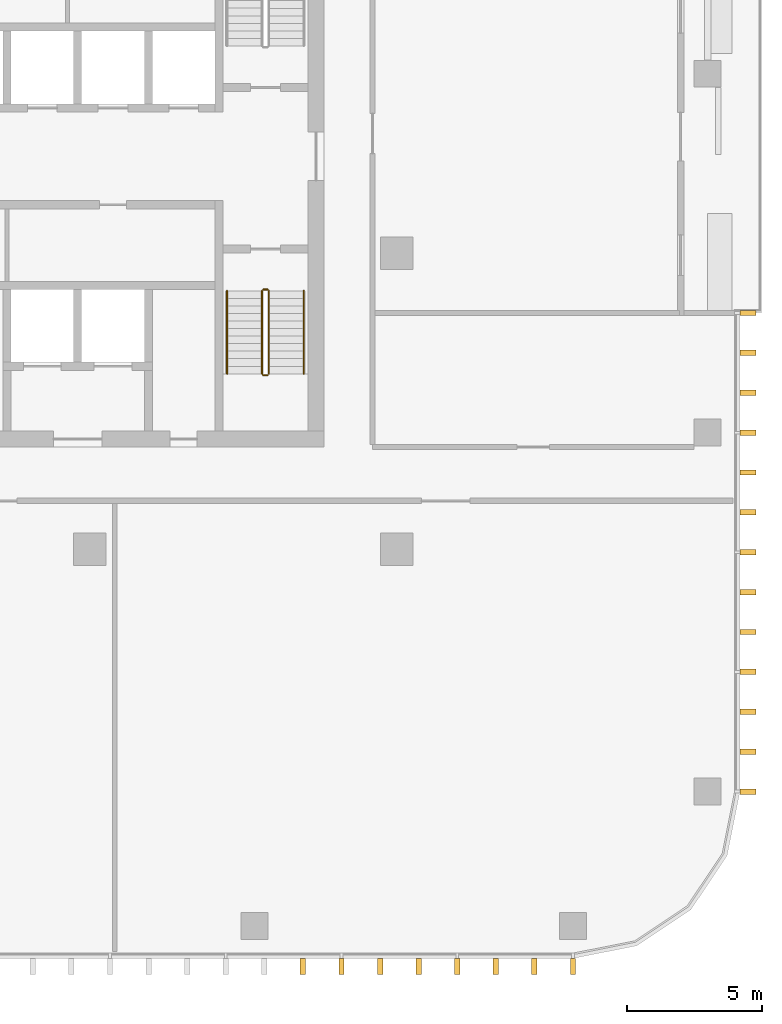
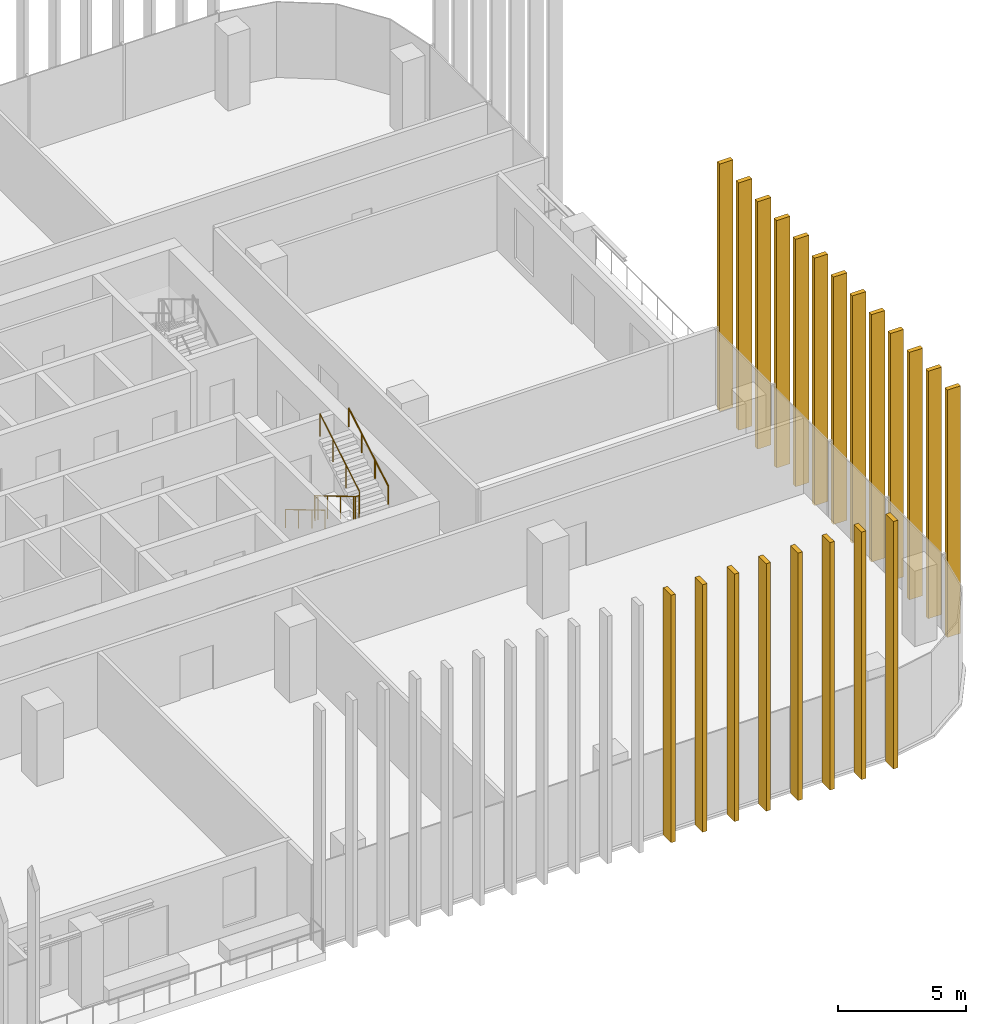
# One storey, part 13 of 16: 21 shading devices, 5 railings.
"""IFC4 building model written with IfcOpenShell, lengths in metres."""

from ifc_helpers import new_model, si_unit, direction, frame, origin, origin_2d, place, context, subcontext, project, spatial, rectangle, circle, extrude, material, type_object, element, save


model = new_model("IFC4")

# Units and contexts
model_context = context("Model", 3, precision=1e-05, world=origin(), true_north=direction((0.0, 1.0)))
body_context = subcontext(model_context, "Body", "Model", "MODEL_VIEW")
ifc_project = project(units=[si_unit("LENGTHUNIT", "METRE"), si_unit("AREAUNIT", "SQUARE_METRE"), si_unit("VOLUMEUNIT", "CUBIC_METRE"), si_unit("PLANEANGLEUNIT", "RADIAN"), si_unit("MASSUNIT", "GRAM", prefix="KILO")], contexts=[model_context])

# Site, building, storey
site_placement = place(None, origin())
site = spatial("IfcSite", under=ifc_project, at=site_placement, CompositionType="ELEMENT")
building_placement = place(site_placement, origin())
building = spatial("IfcBuilding", under=site, at=building_placement, Name="Mopane Tessera Tower", CompositionType="ELEMENT")
storey_placement = place(building_placement, frame((0.0, 0.0, 303.39990234375)))
storey = spatial("IfcBuildingStorey", under=building, at=storey_placement, Name="L66", CompositionType="ELEMENT", Elevation=303.39990234375)

# Shading devices
ifc_material_1 = material(Name="Glazed ceramic tile")
shading_device_type = type_object("IfcShadingDeviceType", Name="Ceramic tile fin 600 x 200 mm", PredefinedType="USERDEFINED", material=ifc_material_1)
for number, where, z_axis, x_axis, name in (
    (1, (13.61669921875, -26.5, -0.39990234375), (0.0, 0.0, 1.0), (1.0, 0.0, 0.0), "e:fin:L66:S:8:2"),
    (2, (15.050048828125, -26.5, -0.39990234375), (0.0, 0.0, 1.0), (1.0, 0.0, 0.0), "e:fin:L66:S:9:0"),
    (3, (16.4833984375, -26.5, -0.39990234375), (0.0, 0.0, 1.0), (1.0, 0.0, 0.0), "e:fin:L66:S:9:1"),
    (4, (17.916748046875, -26.5, -0.39990234375), (0.0, 0.0, 1.0), (1.0, 0.0, 0.0), "e:fin:L66:S:9:2"),
    (5, (19.35009765625, -26.5, -0.39990234375), (0.0, 0.0, 1.0), (1.0, 0.0, 0.0), "e:fin:L66:S:10:0"),
    (6, (20.783447265625, -26.5, -0.39990234375), (0.0, 0.0, 1.0), (1.0, 0.0, 0.0), "e:fin:L66:S:10:1"),
    (7, (22.216552734375, -26.5, -0.39990234375), (0.0, 0.0, 1.0), (1.0, 0.0, 0.0), "e:fin:L66:S:10:2"),
    (8, (23.64990234375, -26.5, -0.39990234375), (0.0, 0.0, 1.0), (1.0, 0.0, 0.0), "e:fin:L66:S:10:3"),
    (9, (30.14990234375, -20.0, -0.39990234375), (0.0, 0.0, 1.0), (0.0, 1.0, 0.0), "e:fin:L66:E:0:0"),
    (10, (30.14990234375, -18.5185546875, -0.39990234375), (0.0, 0.0, 1.0), (0.0, 1.0, 0.0), "e:fin:L66:E:0:1"),
    (11, (30.14990234375, -17.037109375, -0.39990234375), (0.0, 0.0, 1.0), (0.0, 1.0, 0.0), "e:fin:L66:E:0:2"),
    (12, (30.14990234375, -15.5556640625, -0.39990234375), (0.0, 0.0, 1.0), (0.0, 1.0, 0.0), "e:fin:L66:E:1:0"),
    (13, (30.14990234375, -14.073974609375, -0.39990234375), (0.0, 0.0, 1.0), (0.0, 1.0, 0.0), "e:fin:L66:E:1:1"),
    (14, (30.14990234375, -12.592529296875, -0.39990234375), (0.0, 0.0, 1.0), (0.0, 1.0, 0.0), "e:fin:L66:E:1:2"),
    (15, (30.14990234375, -11.111083984375, -0.39990234375), (0.0, 0.0, 1.0), (0.0, 1.0, 0.0), "e:fin:L66:E:2:0"),
    (16, (30.14990234375, -9.629638671875, -0.39990234375), (0.0, 0.0, 1.0), (0.0, 1.0, 0.0), "e:fin:L66:E:2:1"),
    (17, (30.14990234375, -8.148193359375, -0.39990234375), (0.0, 0.0, 1.0), (0.0, 1.0, 0.0), "e:fin:L66:E:2:2"),
    (18, (30.14990234375, -6.666748046875, -0.39990234375), (0.0, 0.0, 1.0), (0.0, 1.0, 0.0), "e:fin:L66:E:3:0"),
    (19, (30.14990234375, -5.185302734375, -0.39990234375), (0.0, 0.0, 1.0), (0.0, 1.0, 0.0), "e:fin:L66:E:3:1"),
    (20, (30.14990234375, -3.70361328125, -0.39990234375), (0.0, 0.0, 1.0), (0.0, 1.0, 0.0), "e:fin:L66:E:3:2"),
    (21, (30.14990234375, -2.22216796875, -0.39990234375), (0.0, 0.0, 1.0), (0.0, 1.0, 0.0), "e:fin:L66:E:3:3"),
):
    element("IfcShadingDevice", number, at=place(storey_placement, frame(where, z_axis=z_axis, x_axis=x_axis)), inside=storey, type_object=shading_device_type, Name=name, ObjectType="FIN", PredefinedType="USERDEFINED", context=body_context, shape_type="SweptSolid", body=[
        extrude(rectangle(XDim=0.199951171875, YDim=0.60009765625, at=origin_2d()), origin(), (0.0, 0.0, 1.0), 11.800048828125),
    ])

# Railings
ifc_material_2 = material(Name="Powder-coated steel balustrade", Category="steel")
railing_type_1 = type_object("IfcRailingType", Name="Escape stair guard 1100 mm", PredefinedType="GUARDRAIL", material=ifc_material_2)
railing_1_placement = place(storey_placement, frame((12.10009765625, -1.39990234375, 0.166748046875)))
element("IfcRailing", 22, at=railing_1_placement, inside=storey, type_object=railing_type_1, Name="L66 ST3 stair guard 1", PredefinedType="GUARDRAIL", context=body_context, shape_type="SweptSolid", body=[
    extrude(circle(Radius=0.02392578125, at=origin_2d()), frame((0.0, 0.0, 1.076171875), z_axis=(0.0, -0.859308565015, 0.511457515432), x_axis=(1.0, 0.0, 0.0)), (0.0, 0.0, 1.0), 3.58447265625),
    extrude(circle(Radius=0.02392578125, at=origin_2d()), frame((0.0, -3.080078125, 2.9091796875), z_axis=(0.705375805398, -0.708833529934, 0.0), x_axis=(0.708833529934, 0.705375805398, 0.0)), (0.0, 0.0, 1.0), 0.070556640625),
    extrude(circle(Radius=0.02392578125, at=origin_2d()), frame((0.0498046875, -3.130126953125, 2.9091796875), z_axis=(1.0, 0.0, 0.0), x_axis=(0.0, 1.0, 0.0)), (0.0, 0.0, 1.0), 0.150146484375),
    extrude(circle(Radius=0.02099609375, at=origin_2d()), origin(), (0.0, 0.0, 1.0), 1.052001953125),
    extrude(circle(Radius=0.02099609375, at=origin_2d()), frame((0.0, -1.026611328125, 0.611083984375)), (0.0, 0.0, 1.0), 1.052001953125),
    extrude(circle(Radius=0.02099609375, at=origin_2d()), frame((0.0, -2.053466796875, 1.22216796875)), (0.0, 0.0, 1.0), 1.052001953125),
    extrude(circle(Radius=0.02099609375, at=origin_2d()), frame((0.0, -3.080078125, 1.833251953125)), (0.0, 0.0, 1.0), 1.052001953125),
    extrude(circle(Radius=0.02099609375, at=origin_2d()), frame((0.0498046875, -3.130126953125, 1.833251953125)), (0.0, 0.0, 1.0), 1.052001953125),
    extrude(circle(Radius=0.02099609375, at=origin_2d()), frame((0.199951171875, -3.130126953125, 1.833251953125)), (0.0, 0.0, 1.0), 1.052001953125),
])
railing_2_placement = place(storey_placement, frame((12.35009765625, -4.47998046875, 2.166748046875)))
element("IfcRailing", 23, at=railing_2_placement, inside=storey, type_object=railing_type_1, Name="L66 ST3 stair guard 2", PredefinedType="GUARDRAIL", context=body_context, shape_type="SweptSolid", body=[
    extrude(circle(Radius=0.02392578125, at=origin_2d()), frame((0.0, 0.0, 1.076171875), z_axis=(0.0, 0.859308565015, 0.511457515432), x_axis=(-1.0, 0.0, 0.0)), (0.0, 0.0, 1.0), 3.58447265625),
    extrude(circle(Radius=0.02099609375, at=origin_2d()), origin(), (0.0, 0.0, 1.0), 1.052001953125),
    extrude(circle(Radius=0.02099609375, at=origin_2d()), frame((0.0, 1.026611328125, 0.611083984375)), (0.0, 0.0, 1.0), 1.052001953125),
    extrude(circle(Radius=0.02099609375, at=origin_2d()), frame((0.0, 2.053466796875, 1.22216796875)), (0.0, 0.0, 1.0), 1.052001953125),
    extrude(circle(Radius=0.02099609375, at=origin_2d()), frame((0.0, 3.080078125, 1.833251953125)), (0.0, 0.0, 1.0), 1.052001953125),
])
railing_3_placement = place(storey_placement, frame((12.14990234375, -1.35009765625, 0.0)))
element("IfcRailing", 24, at=railing_3_placement, inside=storey, type_object=railing_type_1, Name="L66 ST3 stair guard 3", PredefinedType="GUARDRAIL", context=body_context, shape_type="SweptSolid", body=[
    extrude(circle(Radius=0.02392578125, at=origin_2d()), frame((0.0, 0.0, 1.076171875), z_axis=(1.0, 0.0, 0.0), x_axis=(0.0, 1.0, 0.0)), (0.0, 0.0, 1.0), 0.150146484375),
    extrude(circle(Radius=0.02099609375, at=origin_2d()), origin(), (0.0, 0.0, 1.0), 1.052001953125),
    extrude(circle(Radius=0.02099609375, at=origin_2d()), frame((0.150146484375, 0.0, 0.0)), (0.0, 0.0, 1.0), 1.052001953125),
])
ifc_material_3 = material(Name="Powder-coated steel balustrade", Category="steel")
railing_type_2 = type_object("IfcRailingType", Name="Escape stair handrail 900 mm", PredefinedType="HANDRAIL", material=ifc_material_3)
railing_4_placement = place(storey_placement, frame((10.800048828125, -1.39990234375, 0.166748046875)))
element("IfcRailing", 25, at=railing_4_placement, inside=storey, type_object=railing_type_2, Name="L66 ST3 stair handrail 1", PredefinedType="HANDRAIL", context=body_context, shape_type="SweptSolid", body=[
    extrude(circle(Radius=0.02392578125, at=origin_2d()), frame((0.0, 0.0, 0.8759765625), z_axis=(0.0, -0.859308565015, 0.511457515432), x_axis=(1.0, 0.0, 0.0)), (0.0, 0.0, 1.0), 3.58447265625),
    extrude(circle(Radius=0.02099609375, at=origin_2d()), origin(), (0.0, 0.0, 1.0), 0.851806640625),
    extrude(circle(Radius=0.02099609375, at=origin_2d()), frame((0.0, -1.026611328125, 0.611083984375)), (0.0, 0.0, 1.0), 0.851806640625),
    extrude(circle(Radius=0.02099609375, at=origin_2d()), frame((0.0, -2.053466796875, 1.22216796875)), (0.0, 0.0, 1.0), 0.851806640625),
    extrude(circle(Radius=0.02099609375, at=origin_2d()), frame((0.0, -3.080078125, 1.833251953125)), (0.0, 0.0, 1.0), 0.851806640625),
])
railing_5_placement = place(storey_placement, frame((13.64990234375, -4.47998046875, 2.166748046875)))
element("IfcRailing", 26, at=railing_5_placement, inside=storey, type_object=railing_type_2, Name="L66 ST3 stair handrail 2", PredefinedType="HANDRAIL", context=body_context, shape_type="SweptSolid", body=[
    extrude(circle(Radius=0.02392578125, at=origin_2d()), frame((0.0, 0.0, 0.8759765625), z_axis=(0.0, 0.859308565015, 0.511457515432), x_axis=(-1.0, 0.0, 0.0)), (0.0, 0.0, 1.0), 3.58447265625),
    extrude(circle(Radius=0.02099609375, at=origin_2d()), origin(), (0.0, 0.0, 1.0), 0.851806640625),
    extrude(circle(Radius=0.02099609375, at=origin_2d()), frame((0.0, 1.026611328125, 0.611083984375)), (0.0, 0.0, 1.0), 0.851806640625),
    extrude(circle(Radius=0.02099609375, at=origin_2d()), frame((0.0, 2.053466796875, 1.22216796875)), (0.0, 0.0, 1.0), 0.851806640625),
    extrude(circle(Radius=0.02099609375, at=origin_2d()), frame((0.0, 3.080078125, 1.833251953125)), (0.0, 0.0, 1.0), 0.851806640625),
])

save(model, "model.ifc")
